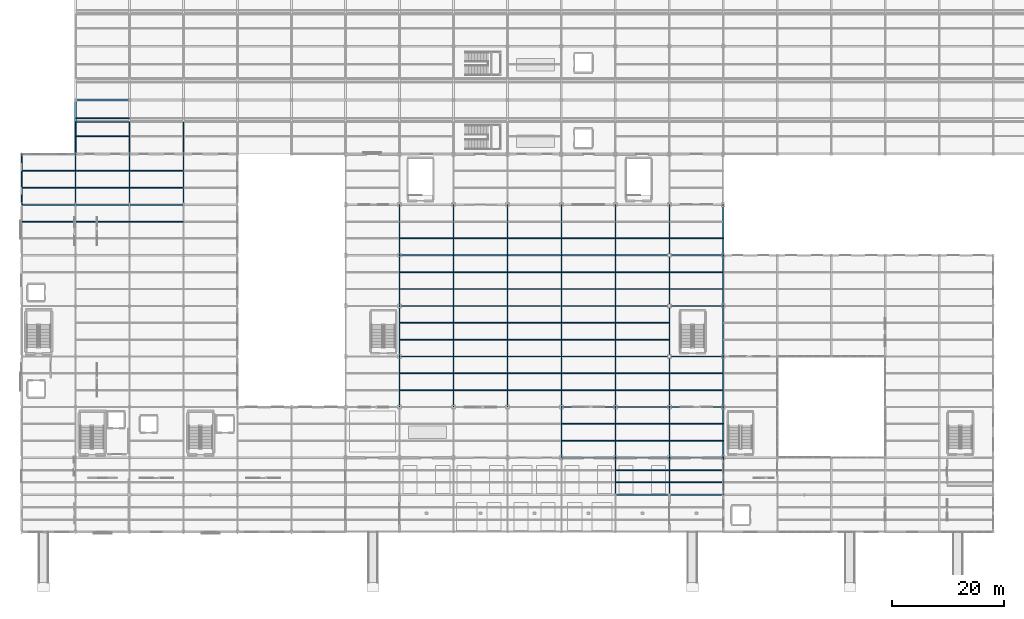
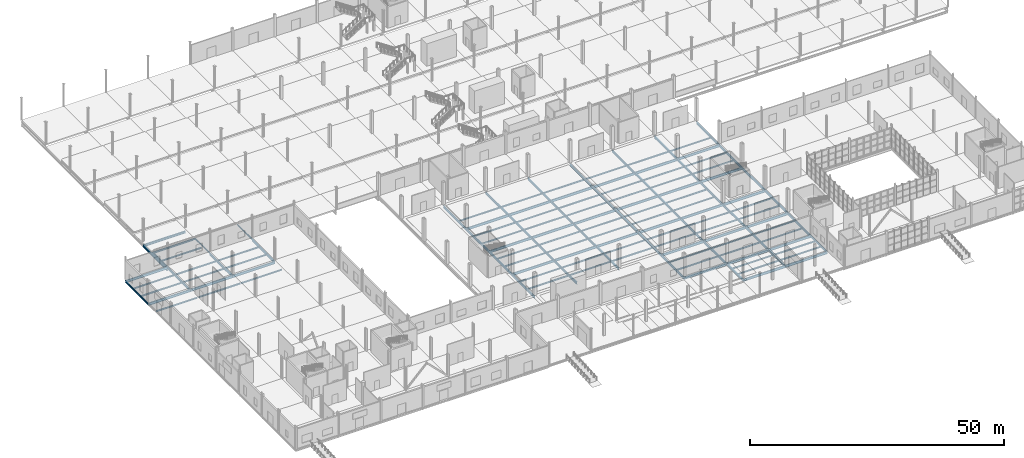
# One storey, part 28 of 85: 136 beams.
"""IFC4 building model written with IfcOpenShell, lengths in metres."""

from ifc_helpers import new_model, si_unit, direction, frame, origin, origin_2d, place, context, subcontext, project, spatial, i_section, extrude, material, material_profile, profile_set, type_object, element, save


model = new_model("IFC4")

# Units and contexts
model_context = context("Model", 3, precision=1e-05, world=origin(), true_north=direction((0.0, 1.0)))
body_context = subcontext(model_context, "Body", "Model", "MODEL_VIEW")
ifc_project = project(units=[si_unit("LENGTHUNIT", "METRE"), si_unit("AREAUNIT", "SQUARE_METRE"), si_unit("VOLUMEUNIT", "CUBIC_METRE"), si_unit("PLANEANGLEUNIT", "RADIAN"), si_unit("MASSUNIT", "GRAM", prefix="KILO")], contexts=[model_context])

# Site, building, storey
site_placement = place(None, origin())
site = spatial("IfcSite", under=ifc_project, at=site_placement, CompositionType="ELEMENT")
building_placement = place(site_placement, origin())
building = spatial("IfcBuilding", under=site, at=building_placement, Name="Zarnetskaya Central Station", CompositionType="ELEMENT")
storey_placement = place(building_placement, origin())
storey = spatial("IfcBuildingStorey", under=building, at=storey_placement, Name="L00", CompositionType="ELEMENT", Elevation=0.0)

# Beams
ifc_material = material(Name="Steel S355", Category="steel")
ifc_material_profile_1 = material_profile(ifc_material, i_section(OverallWidth=0.159912109375, OverallDepth=0.330078125, WebThickness=0.007568359375, FlangeThickness=0.011474609375, FilletRadius=0.01806640625, at=origin_2d()), Name="IPE 330")
ifc_profile_set_1 = profile_set([ifc_material_profile_1], Name="Steel S355")
beam_type_1 = type_object("IfcBeamType", Name="BM-SEC-330", PredefinedType="BEAM", material=ifc_profile_set_1)
for number, where, z_axis, x_axis, name in (
    (1, (9.60009765625, 67.199951171875, -0.455078125), (0.0, 1.0, 0.0), (-1.0, 0.0, 0.0), "Platform transverse bearer GY-PLT-P1-B"),
    (2, (19.199951171875, 67.199951171875, -0.455078125), (0.0, 1.0, 0.0), (-1.0, 0.0, 0.0), "Platform transverse bearer GY-PLT-P1-C"),
    (3, (28.800048828125, 67.199951171875, -0.455078125), (0.0, 1.0, 0.0), (-1.0, 0.0, 0.0), "Platform transverse bearer GY-PLT-P1-D"),
):
    element("IfcBeam", number, at=place(storey_placement, frame(where, z_axis=z_axis, x_axis=x_axis)), inside=storey, type_object=beam_type_1, Name=name, PredefinedType="BEAM", context=body_context, shape_type="SweptSolid", body=[
        extrude(i_section(OverallWidth=0.159912109375, OverallDepth=0.330078125, WebThickness=0.007568359375, FlangeThickness=0.011474609375, FilletRadius=0.01806640625, at=origin_2d()), origin(), (0.0, 0.0, 1.0), 5.699951171875),
    ])
beam_1_placement = place(storey_placement, frame((9.60009765625, 72.89990234375, -0.455078125), z_axis=(1.0, 0.0, 0.0), x_axis=(0.0, 1.0, 0.0)))
element("IfcBeam", 4, at=beam_1_placement, inside=storey, type_object=beam_type_1, Name="Platform north edge beam GX-PLT-P1-BC-N", PredefinedType="BEAM", context=body_context, shape_type="SweptSolid", body=[
    extrude(i_section(OverallWidth=0.159912109375, OverallDepth=0.330078125, WebThickness=0.007568359375, FlangeThickness=0.011474609375, FilletRadius=0.01806640625, at=origin_2d()), origin(), (0.0, 0.0, 1.0), 9.599853515625),
])
ifc_material_profile_2 = material_profile(ifc_material, i_section(OverallWidth=0.169921875, OverallDepth=0.360107421875, WebThickness=0.008056640625, FlangeThickness=0.0126953125, FilletRadius=0.01806640625, at=origin_2d()), Name="IPE 360")
ifc_profile_set_2 = profile_set([ifc_material_profile_2], Name="Steel S355")
beam_type_2 = type_object("IfcBeamType", Name="BM-SEC-360", PredefinedType="BEAM", material=ifc_profile_set_2)
for number, where, z_axis, x_axis, name in (
    (5, (0.080078125, 55.199951171875, -0.5), (1.0, 0.0, 0.0), (0.0, 1.0, 0.0), "Secondary floor beam SEC-L00-Z32-AB-78-2"),
    (6, (0.080078125, 61.199951171875, -0.5), (1.0, 0.0, 0.0), (0.0, 1.0, 0.0), "Secondary floor beam SEC-L00-Z32-AB-89-1"),
    (7, (0.080078125, 64.199951171875, -0.5), (1.0, 0.0, 0.0), (0.0, 1.0, 0.0), "Secondary floor beam SEC-L00-Z32-AB-89-2"),
):
    element("IfcBeam", number, at=place(storey_placement, frame(where, z_axis=z_axis, x_axis=x_axis)), inside=storey, type_object=beam_type_2, Name=name, PredefinedType="BEAM", context=body_context, shape_type="SweptSolid", body=[
        extrude(i_section(OverallWidth=0.169921875, OverallDepth=0.360107421875, WebThickness=0.008056640625, FlangeThickness=0.0126953125, FilletRadius=0.01806640625, at=origin_2d()), origin(), (0.0, 0.0, 1.0), 9.43994140625),
    ])
for number, where, z_axis, x_axis, name in (
    (8, (9.679931640625, 55.199951171875, -0.5), (1.0, 0.0, 0.0), (0.0, 1.0, 0.0), "Secondary floor beam SEC-L00-Z32-BC-78-2"),
    (9, (9.679931640625, 61.199951171875, -0.5), (1.0, 0.0, 0.0), (0.0, 1.0, 0.0), "Secondary floor beam SEC-L00-Z32-BC-89-1"),
    (10, (9.679931640625, 64.199951171875, -0.5), (1.0, 0.0, 0.0), (0.0, 1.0, 0.0), "Secondary floor beam SEC-L00-Z32-BC-89-2"),
):
    element("IfcBeam", number, at=place(storey_placement, frame(where, z_axis=z_axis, x_axis=x_axis)), inside=storey, type_object=beam_type_2, Name=name, PredefinedType="BEAM", context=body_context, shape_type="SweptSolid", body=[
        extrude(i_section(OverallWidth=0.169921875, OverallDepth=0.360107421875, WebThickness=0.008056640625, FlangeThickness=0.0126953125, FilletRadius=0.01806640625, at=origin_2d()), origin(), (0.0, 0.0, 1.0), 9.440185546875),
    ])
for number, where, z_axis, x_axis, name in (
    (11, (19.280029296875, 55.199951171875, -0.5), (1.0, 0.0, 0.0), (0.0, 1.0, 0.0), "Secondary floor beam SEC-L00-Z32-CD-78-2"),
    (12, (19.280029296875, 61.199951171875, -0.5), (1.0, 0.0, 0.0), (0.0, 1.0, 0.0), "Secondary floor beam SEC-L00-Z32-CD-89-1"),
    (13, (19.280029296875, 64.199951171875, -0.5), (1.0, 0.0, 0.0), (0.0, 1.0, 0.0), "Secondary floor beam SEC-L00-Z32-CD-89-2"),
    (14, (67.280029296875, 25.199951171875, -0.5), (1.0, 0.0, 0.0), (0.0, 1.0, 0.0), "Secondary floor beam SEC-L00-Z32-HJ-45-1"),
    (15, (67.280029296875, 28.199951171875, -0.5), (1.0, 0.0, 0.0), (0.0, 1.0, 0.0), "Secondary floor beam SEC-L00-Z32-HJ-45-2"),
    (16, (67.280029296875, 34.199951171875, -0.5), (1.0, 0.0, 0.0), (0.0, 1.0, 0.0), "Secondary floor beam SEC-L00-Z32-HJ-56-1"),
    (17, (67.280029296875, 37.199951171875, -0.5), (1.0, 0.0, 0.0), (0.0, 1.0, 0.0), "Secondary floor beam SEC-L00-Z32-HJ-56-2"),
    (18, (67.280029296875, 43.199951171875, -0.5), (1.0, 0.0, 0.0), (0.0, 1.0, 0.0), "Secondary floor beam SEC-L00-Z32-HJ-67-1"),
    (19, (67.280029296875, 46.199951171875, -0.5), (1.0, 0.0, 0.0), (0.0, 1.0, 0.0), "Secondary floor beam SEC-L00-Z32-HJ-67-2"),
    (20, (67.280029296875, 52.199951171875, -0.5), (1.0, 0.0, 0.0), (0.0, 1.0, 0.0), "Secondary floor beam SEC-L00-Z32-HJ-78-1"),
):
    element("IfcBeam", number, at=place(storey_placement, frame(where, z_axis=z_axis, x_axis=x_axis)), inside=storey, type_object=beam_type_2, Name=name, PredefinedType="BEAM", context=body_context, shape_type="SweptSolid", body=[
        extrude(i_section(OverallWidth=0.169921875, OverallDepth=0.360107421875, WebThickness=0.008056640625, FlangeThickness=0.0126953125, FilletRadius=0.01806640625, at=origin_2d()), origin(), (0.0, 0.0, 1.0), 9.43994140625),
    ])
for number, where, z_axis, x_axis, name in (
    (21, (76.8798828125, 25.199951171875, -0.5), (1.0, 0.0, 0.0), (0.0, 1.0, 0.0), "Secondary floor beam SEC-L00-Z32-JK-45-1"),
    (22, (76.8798828125, 28.199951171875, -0.5), (1.0, 0.0, 0.0), (0.0, 1.0, 0.0), "Secondary floor beam SEC-L00-Z32-JK-45-2"),
    (23, (76.8798828125, 34.199951171875, -0.5), (1.0, 0.0, 0.0), (0.0, 1.0, 0.0), "Secondary floor beam SEC-L00-Z32-JK-56-1"),
    (24, (76.8798828125, 37.199951171875, -0.5), (1.0, 0.0, 0.0), (0.0, 1.0, 0.0), "Secondary floor beam SEC-L00-Z32-JK-56-2"),
    (25, (76.8798828125, 43.199951171875, -0.5), (1.0, 0.0, 0.0), (0.0, 1.0, 0.0), "Secondary floor beam SEC-L00-Z32-JK-67-1"),
    (26, (76.8798828125, 46.199951171875, -0.5), (1.0, 0.0, 0.0), (0.0, 1.0, 0.0), "Secondary floor beam SEC-L00-Z32-JK-67-2"),
    (27, (76.8798828125, 52.199951171875, -0.5), (1.0, 0.0, 0.0), (0.0, 1.0, 0.0), "Secondary floor beam SEC-L00-Z32-JK-78-1"),
):
    element("IfcBeam", number, at=place(storey_placement, frame(where, z_axis=z_axis, x_axis=x_axis)), inside=storey, type_object=beam_type_2, Name=name, PredefinedType="BEAM", context=body_context, shape_type="SweptSolid", body=[
        extrude(i_section(OverallWidth=0.169921875, OverallDepth=0.360107421875, WebThickness=0.008056640625, FlangeThickness=0.0126953125, FilletRadius=0.01806640625, at=origin_2d()), origin(), (0.0, 0.0, 1.0), 9.440185546875),
    ])
for number, where, z_axis, x_axis, name in (
    (28, (86.47998046875, 25.199951171875, -0.5), (1.0, 0.0, 0.0), (0.0, 1.0, 0.0), "Secondary floor beam SEC-L00-Z32-KL-45-1"),
    (29, (86.47998046875, 28.199951171875, -0.5), (1.0, 0.0, 0.0), (0.0, 1.0, 0.0), "Secondary floor beam SEC-L00-Z32-KL-45-2"),
    (30, (86.47998046875, 34.199951171875, -0.5), (1.0, 0.0, 0.0), (0.0, 1.0, 0.0), "Secondary floor beam SEC-L00-Z32-KL-56-1"),
    (31, (86.47998046875, 37.199951171875, -0.5), (1.0, 0.0, 0.0), (0.0, 1.0, 0.0), "Secondary floor beam SEC-L00-Z32-KL-56-2"),
    (32, (86.47998046875, 43.199951171875, -0.5), (1.0, 0.0, 0.0), (0.0, 1.0, 0.0), "Secondary floor beam SEC-L00-Z32-KL-67-1"),
    (33, (86.47998046875, 46.199951171875, -0.5), (1.0, 0.0, 0.0), (0.0, 1.0, 0.0), "Secondary floor beam SEC-L00-Z32-KL-67-2"),
    (34, (86.47998046875, 52.199951171875, -0.5), (1.0, 0.0, 0.0), (0.0, 1.0, 0.0), "Secondary floor beam SEC-L00-Z32-KL-78-1"),
    (35, (96.080078125, 16.199951171875, -0.5), (1.0, 0.0, 0.0), (0.0, 1.0, 0.0), "Secondary floor beam SEC-L00-Z32-LM-34-1"),
    (36, (96.080078125, 19.199951171875, -0.5), (1.0, 0.0, 0.0), (0.0, 1.0, 0.0), "Secondary floor beam SEC-L00-Z32-LM-34-2"),
    (37, (96.080078125, 25.199951171875, -0.5), (1.0, 0.0, 0.0), (0.0, 1.0, 0.0), "Secondary floor beam SEC-L00-Z32-LM-45-1"),
    (38, (96.080078125, 28.199951171875, -0.5), (1.0, 0.0, 0.0), (0.0, 1.0, 0.0), "Secondary floor beam SEC-L00-Z32-LM-45-2"),
    (39, (96.080078125, 34.199951171875, -0.5), (1.0, 0.0, 0.0), (0.0, 1.0, 0.0), "Secondary floor beam SEC-L00-Z32-LM-56-1"),
    (40, (96.080078125, 37.199951171875, -0.5), (1.0, 0.0, 0.0), (0.0, 1.0, 0.0), "Secondary floor beam SEC-L00-Z32-LM-56-2"),
    (41, (96.080078125, 43.199951171875, -0.5), (1.0, 0.0, 0.0), (0.0, 1.0, 0.0), "Secondary floor beam SEC-L00-Z32-LM-67-1"),
    (42, (96.080078125, 46.199951171875, -0.5), (1.0, 0.0, 0.0), (0.0, 1.0, 0.0), "Secondary floor beam SEC-L00-Z32-LM-67-2"),
    (43, (96.080078125, 52.199951171875, -0.5), (1.0, 0.0, 0.0), (0.0, 1.0, 0.0), "Secondary floor beam SEC-L00-Z32-LM-78-1"),
):
    element("IfcBeam", number, at=place(storey_placement, frame(where, z_axis=z_axis, x_axis=x_axis)), inside=storey, type_object=beam_type_2, Name=name, PredefinedType="BEAM", context=body_context, shape_type="SweptSolid", body=[
        extrude(i_section(OverallWidth=0.169921875, OverallDepth=0.360107421875, WebThickness=0.008056640625, FlangeThickness=0.0126953125, FilletRadius=0.01806640625, at=origin_2d()), origin(), (0.0, 0.0, 1.0), 9.43994140625),
    ])
for number, where, z_axis, x_axis, name in (
    (44, (105.679931640625, 16.199951171875, -0.5), (1.0, 0.0, 0.0), (0.0, 1.0, 0.0), "Secondary floor beam SEC-L00-Z32-MN-34-1"),
    (45, (105.679931640625, 19.199951171875, -0.5), (1.0, 0.0, 0.0), (0.0, 1.0, 0.0), "Secondary floor beam SEC-L00-Z32-MN-34-2"),
    (46, (105.679931640625, 25.199951171875, -0.5), (1.0, 0.0, 0.0), (0.0, 1.0, 0.0), "Secondary floor beam SEC-L00-Z32-MN-45-1"),
    (47, (105.679931640625, 28.199951171875, -0.5), (1.0, 0.0, 0.0), (0.0, 1.0, 0.0), "Secondary floor beam SEC-L00-Z32-MN-45-2"),
    (48, (105.679931640625, 34.199951171875, -0.5), (1.0, 0.0, 0.0), (0.0, 1.0, 0.0), "Secondary floor beam SEC-L00-Z32-MN-56-1"),
    (49, (105.679931640625, 37.199951171875, -0.5), (1.0, 0.0, 0.0), (0.0, 1.0, 0.0), "Secondary floor beam SEC-L00-Z32-MN-56-2"),
    (50, (105.679931640625, 43.199951171875, -0.5), (1.0, 0.0, 0.0), (0.0, 1.0, 0.0), "Secondary floor beam SEC-L00-Z32-MN-67-1"),
    (51, (105.679931640625, 46.199951171875, -0.5), (1.0, 0.0, 0.0), (0.0, 1.0, 0.0), "Secondary floor beam SEC-L00-Z32-MN-67-2"),
    (52, (105.679931640625, 52.199951171875, -0.5), (1.0, 0.0, 0.0), (0.0, 1.0, 0.0), "Secondary floor beam SEC-L00-Z32-MN-78-1"),
):
    element("IfcBeam", number, at=place(storey_placement, frame(where, z_axis=z_axis, x_axis=x_axis)), inside=storey, type_object=beam_type_2, Name=name, PredefinedType="BEAM", context=body_context, shape_type="SweptSolid", body=[
        extrude(i_section(OverallWidth=0.169921875, OverallDepth=0.360107421875, WebThickness=0.008056640625, FlangeThickness=0.0126953125, FilletRadius=0.01806640625, at=origin_2d()), origin(), (0.0, 0.0, 1.0), 9.440185546875),
    ])
for number, where, z_axis, x_axis, name in (
    (53, (115.280029296875, 16.199951171875, -0.5), (1.0, 0.0, 0.0), (0.0, 1.0, 0.0), "Secondary floor beam SEC-L00-Z32-NP-34-1"),
    (54, (115.280029296875, 19.199951171875, -0.5), (1.0, 0.0, 0.0), (0.0, 1.0, 0.0), "Secondary floor beam SEC-L00-Z32-NP-34-2"),
    (55, (115.280029296875, 25.199951171875, -0.5), (1.0, 0.0, 0.0), (0.0, 1.0, 0.0), "Secondary floor beam SEC-L00-Z32-NP-45-1"),
    (56, (115.280029296875, 28.199951171875, -0.5), (1.0, 0.0, 0.0), (0.0, 1.0, 0.0), "Secondary floor beam SEC-L00-Z32-NP-45-2"),
    (57, (115.280029296875, 43.199951171875, -0.5), (1.0, 0.0, 0.0), (0.0, 1.0, 0.0), "Secondary floor beam SEC-L00-Z32-NP-67-1"),
    (58, (115.280029296875, 46.199951171875, -0.5), (1.0, 0.0, 0.0), (0.0, 1.0, 0.0), "Secondary floor beam SEC-L00-Z32-NP-67-2"),
    (59, (115.280029296875, 52.199951171875, -0.5), (1.0, 0.0, 0.0), (0.0, 1.0, 0.0), "Secondary floor beam SEC-L00-Z32-NP-78-1"),
):
    element("IfcBeam", number, at=place(storey_placement, frame(where, z_axis=z_axis, x_axis=x_axis)), inside=storey, type_object=beam_type_2, Name=name, PredefinedType="BEAM", context=body_context, shape_type="SweptSolid", body=[
        extrude(i_section(OverallWidth=0.169921875, OverallDepth=0.360107421875, WebThickness=0.008056640625, FlangeThickness=0.0126953125, FilletRadius=0.01806640625, at=origin_2d()), origin(), (0.0, 0.0, 1.0), 9.43994140625),
    ])
for number, where, z_axis, x_axis, name in (
    (60, (105.679931640625, 8.800048828125, -0.39990234375), (1.0, 0.0, 0.0), (0.0, 1.0, 0.0), "Secondary floor beam SEC-L00-Z22-MN-23-1"),
    (61, (105.679931640625, 11.0, -0.39990234375), (1.0, 0.0, 0.0), (0.0, 1.0, 0.0), "Secondary floor beam SEC-L00-Z22-MN-23-2"),
):
    element("IfcBeam", number, at=place(storey_placement, frame(where, z_axis=z_axis, x_axis=x_axis)), inside=storey, type_object=beam_type_2, Name=name, PredefinedType="BEAM", context=body_context, shape_type="SweptSolid", body=[
        extrude(i_section(OverallWidth=0.169921875, OverallDepth=0.360107421875, WebThickness=0.008056640625, FlangeThickness=0.0126953125, FilletRadius=0.01806640625, at=origin_2d()), origin(), (0.0, 0.0, 1.0), 9.440185546875),
    ])
for number, where, z_axis, x_axis, name in (
    (62, (115.280029296875, 8.800048828125, -0.39990234375), (1.0, 0.0, 0.0), (0.0, 1.0, 0.0), "Secondary floor beam SEC-L00-Z22-NP-23-1"),
    (63, (115.280029296875, 11.0, -0.39990234375), (1.0, 0.0, 0.0), (0.0, 1.0, 0.0), "Secondary floor beam SEC-L00-Z22-NP-23-2"),
):
    element("IfcBeam", number, at=place(storey_placement, frame(where, z_axis=z_axis, x_axis=x_axis)), inside=storey, type_object=beam_type_2, Name=name, PredefinedType="BEAM", context=body_context, shape_type="SweptSolid", body=[
        extrude(i_section(OverallWidth=0.169921875, OverallDepth=0.360107421875, WebThickness=0.008056640625, FlangeThickness=0.0126953125, FilletRadius=0.01806640625, at=origin_2d()), origin(), (0.0, 0.0, 1.0), 9.43994140625),
    ])
for number, where, z_axis, x_axis, name in (
    (64, (9.679931640625, 70.39990234375, -1.090087890625), (1.0, 0.0, 0.0), (0.0, 1.0, 0.0), "Secondary floor beam SEC-L00-Z91-BC-910-1"),
    (65, (9.679931640625, 73.60009765625, -1.090087890625), (1.0, 0.0, 0.0), (0.0, 1.0, 0.0), "Secondary floor beam SEC-L00-Z91-BC-910-2"),
):
    element("IfcBeam", number, at=place(storey_placement, frame(where, z_axis=z_axis, x_axis=x_axis)), inside=storey, type_object=beam_type_2, Name=name, PredefinedType="BEAM", context=body_context, shape_type="SweptSolid", body=[
        extrude(i_section(OverallWidth=0.169921875, OverallDepth=0.360107421875, WebThickness=0.008056640625, FlangeThickness=0.0126953125, FilletRadius=0.01806640625, at=origin_2d()), origin(), (0.0, 0.0, 1.0), 9.440185546875),
    ])
ifc_material_profile_3 = material_profile(ifc_material, i_section(OverallWidth=0.179931640625, OverallDepth=0.39990234375, WebThickness=0.008544921875, FlangeThickness=0.013427734375, FilletRadius=0.02099609375, at=origin_2d()), Name="IPE 400")
ifc_profile_set_3 = profile_set([ifc_material_profile_3], Name="Steel S355")
beam_type_3 = type_object("IfcBeamType", Name="BM-SPN-V5", PredefinedType="SPANDREL", material=ifc_profile_set_3)
beam_2_placement = place(storey_placement, frame((0.0, 58.199951171875, -0.52001953125), z_axis=(0.0, 1.0, 0.0), x_axis=(-1.0, 0.0, 0.0)))
element("IfcBeam", 66, at=beam_2_placement, inside=storey, type_object=beam_type_3, Name="Grid girder GY-L00-A-89", PredefinedType="SPANDREL", context=body_context, shape_type="SweptSolid", body=[
    extrude(i_section(OverallWidth=0.179931640625, OverallDepth=0.39990234375, WebThickness=0.008544921875, FlangeThickness=0.013427734375, FilletRadius=0.02099609375, at=origin_2d()), origin(), (0.0, 0.0, 1.0), 9.0),
])
ifc_material_profile_4 = material_profile(ifc_material, i_section(OverallWidth=0.199951171875, OverallDepth=0.5, WebThickness=0.01025390625, FlangeThickness=0.01611328125, FilletRadius=0.02099609375, at=origin_2d()), Name="IPE 500")
ifc_profile_set_4 = profile_set([ifc_material_profile_4], Name="Steel S355")
beam_type_4 = type_object("IfcBeamType", Name="GD-FLR-500", PredefinedType="USERDEFINED", material=ifc_profile_set_4)
for number, where, z_axis, x_axis, name in (
    (67, (105.60009765625, 6.60009765625, -0.469970703125), (0.0, 1.0, 0.0), (-1.0, 0.0, 0.0), "Grid girder GY-L00-M-23"),
    (68, (115.199951171875, 6.60009765625, -0.469970703125), (0.0, 1.0, 0.0), (-1.0, 0.0, 0.0), "Grid girder GY-L00-N-23"),
    (69, (124.800048828125, 6.60009765625, -0.570068359375), (0.0, 1.0, 0.0), (-1.0, 0.0, 0.0), "Grid girder GY-L00-P-23"),
):
    element("IfcBeam", number, at=place(storey_placement, frame(where, z_axis=z_axis, x_axis=x_axis)), inside=storey, type_object=beam_type_4, Name=name, ObjectType="GIRDER", PredefinedType="USERDEFINED", context=body_context, shape_type="SweptSolid", body=[
        extrude(i_section(OverallWidth=0.199951171875, OverallDepth=0.5, WebThickness=0.01025390625, FlangeThickness=0.01611328125, FilletRadius=0.02099609375, at=origin_2d()), origin(), (0.0, 0.0, 1.0), 6.599853515625),
    ])
ifc_material_profile_5 = material_profile(ifc_material, i_section(OverallWidth=0.2099609375, OverallDepth=0.550048828125, WebThickness=0.010986328125, FlangeThickness=0.01708984375, FilletRadius=0.02392578125, at=origin_2d()), Name="IPE 550")
ifc_profile_set_5 = profile_set([ifc_material_profile_5], Name="Steel S355")
beam_type_5 = type_object("IfcBeamType", Name="GD-FLR-550", PredefinedType="USERDEFINED", material=ifc_profile_set_5)
for number, where, z_axis, x_axis, name in (
    (70, (9.60009765625, 58.199951171875, -0.594970703125), (0.0, 1.0, 0.0), (-1.0, 0.0, 0.0), "Grid girder GY-L00-B-89"),
    (71, (19.199951171875, 58.199951171875, -0.594970703125), (0.0, 1.0, 0.0), (-1.0, 0.0, 0.0), "Grid girder GY-L00-C-89"),
    (72, (28.800048828125, 58.199951171875, -0.594970703125), (0.0, 1.0, 0.0), (-1.0, 0.0, 0.0), "Grid girder GY-L00-D-89"),
    (73, (67.199951171875, 22.199951171875, -0.594970703125), (0.0, 1.0, 0.0), (-1.0, 0.0, 0.0), "Grid girder GY-L00-H-45"),
    (74, (67.199951171875, 31.199951171875, -0.594970703125), (0.0, 1.0, 0.0), (-1.0, 0.0, 0.0), "Grid girder GY-L00-H-56"),
    (75, (67.199951171875, 40.199951171875, -0.594970703125), (0.0, 1.0, 0.0), (-1.0, 0.0, 0.0), "Grid girder GY-L00-H-67"),
    (76, (67.199951171875, 49.199951171875, -0.594970703125), (0.0, 1.0, 0.0), (-1.0, 0.0, 0.0), "Grid girder GY-L00-H-78"),
    (77, (76.800048828125, 22.199951171875, -0.594970703125), (0.0, 1.0, 0.0), (-1.0, 0.0, 0.0), "Grid girder GY-L00-J-45"),
    (78, (76.800048828125, 31.199951171875, -0.594970703125), (0.0, 1.0, 0.0), (-1.0, 0.0, 0.0), "Grid girder GY-L00-J-56"),
    (79, (76.800048828125, 40.199951171875, -0.594970703125), (0.0, 1.0, 0.0), (-1.0, 0.0, 0.0), "Grid girder GY-L00-J-67"),
    (80, (76.800048828125, 49.199951171875, -0.594970703125), (0.0, 1.0, 0.0), (-1.0, 0.0, 0.0), "Grid girder GY-L00-J-78"),
    (81, (86.39990234375, 22.199951171875, -0.594970703125), (0.0, 1.0, 0.0), (-1.0, 0.0, 0.0), "Grid girder GY-L00-K-45"),
    (82, (86.39990234375, 31.199951171875, -0.594970703125), (0.0, 1.0, 0.0), (-1.0, 0.0, 0.0), "Grid girder GY-L00-K-56"),
    (83, (86.39990234375, 40.199951171875, -0.594970703125), (0.0, 1.0, 0.0), (-1.0, 0.0, 0.0), "Grid girder GY-L00-K-67"),
    (84, (86.39990234375, 49.199951171875, -0.594970703125), (0.0, 1.0, 0.0), (-1.0, 0.0, 0.0), "Grid girder GY-L00-K-78"),
    (85, (96.0, 13.199951171875, -0.594970703125), (0.0, 1.0, 0.0), (-1.0, 0.0, 0.0), "Grid girder GY-L00-L-34"),
    (86, (96.0, 22.199951171875, -0.594970703125), (0.0, 1.0, 0.0), (-1.0, 0.0, 0.0), "Grid girder GY-L00-L-45"),
    (87, (96.0, 31.199951171875, -0.594970703125), (0.0, 1.0, 0.0), (-1.0, 0.0, 0.0), "Grid girder GY-L00-L-56"),
    (88, (96.0, 40.199951171875, -0.594970703125), (0.0, 1.0, 0.0), (-1.0, 0.0, 0.0), "Grid girder GY-L00-L-67"),
    (89, (96.0, 49.199951171875, -0.594970703125), (0.0, 1.0, 0.0), (-1.0, 0.0, 0.0), "Grid girder GY-L00-L-78"),
    (90, (105.60009765625, 13.199951171875, -0.594970703125), (0.0, 1.0, 0.0), (-1.0, 0.0, 0.0), "Grid girder GY-L00-M-34"),
    (91, (105.60009765625, 22.199951171875, -0.594970703125), (0.0, 1.0, 0.0), (-1.0, 0.0, 0.0), "Grid girder GY-L00-M-45"),
    (92, (105.60009765625, 31.199951171875, -0.594970703125), (0.0, 1.0, 0.0), (-1.0, 0.0, 0.0), "Grid girder GY-L00-M-56"),
    (93, (105.60009765625, 40.199951171875, -0.594970703125), (0.0, 1.0, 0.0), (-1.0, 0.0, 0.0), "Grid girder GY-L00-M-67"),
    (94, (105.60009765625, 49.199951171875, -0.594970703125), (0.0, 1.0, 0.0), (-1.0, 0.0, 0.0), "Grid girder GY-L00-M-78"),
    (95, (115.199951171875, 13.199951171875, -0.594970703125), (0.0, 1.0, 0.0), (-1.0, 0.0, 0.0), "Grid girder GY-L00-N-34"),
    (96, (115.199951171875, 22.199951171875, -0.594970703125), (0.0, 1.0, 0.0), (-1.0, 0.0, 0.0), "Grid girder GY-L00-N-45"),
    (97, (115.199951171875, 31.199951171875, -0.594970703125), (0.0, 1.0, 0.0), (-1.0, 0.0, 0.0), "Grid girder GY-L00-N-56"),
    (98, (115.199951171875, 40.199951171875, -0.594970703125), (0.0, 1.0, 0.0), (-1.0, 0.0, 0.0), "Grid girder GY-L00-N-67"),
    (99, (115.199951171875, 49.199951171875, -0.594970703125), (0.0, 1.0, 0.0), (-1.0, 0.0, 0.0), "Grid girder GY-L00-N-78"),
    (100, (124.800048828125, 13.199951171875, -0.594970703125), (0.0, 1.0, 0.0), (-1.0, 0.0, 0.0), "Grid girder GY-L00-P-34"),
    (101, (124.800048828125, 22.199951171875, -0.594970703125), (0.0, 1.0, 0.0), (-1.0, 0.0, 0.0), "Grid girder GY-L00-P-45"),
    (102, (124.800048828125, 31.199951171875, -0.594970703125), (0.0, 1.0, 0.0), (-1.0, 0.0, 0.0), "Grid girder GY-L00-P-56"),
    (103, (124.800048828125, 40.199951171875, -0.594970703125), (0.0, 1.0, 0.0), (-1.0, 0.0, 0.0), "Grid girder GY-L00-P-67"),
    (104, (124.800048828125, 49.199951171875, -0.594970703125), (0.0, 1.0, 0.0), (-1.0, 0.0, 0.0), "Grid girder GY-L00-P-78"),
):
    element("IfcBeam", number, at=place(storey_placement, frame(where, z_axis=z_axis, x_axis=x_axis)), inside=storey, type_object=beam_type_5, Name=name, ObjectType="GIRDER", PredefinedType="USERDEFINED", context=body_context, shape_type="SweptSolid", body=[
        extrude(i_section(OverallWidth=0.2099609375, OverallDepth=0.550048828125, WebThickness=0.010986328125, FlangeThickness=0.01708984375, FilletRadius=0.02392578125, at=origin_2d()), origin(), (0.0, 0.0, 1.0), 9.0),
    ])
ifc_material_profile_6 = material_profile(ifc_material, i_section(OverallWidth=0.219970703125, OverallDepth=0.60009765625, WebThickness=0.011962890625, FlangeThickness=0.01904296875, FilletRadius=0.02392578125, at=origin_2d()), Name="IPE 600")
ifc_profile_set_6 = profile_set([ifc_material_profile_6], Name="Steel S355")
beam_type_6 = type_object("IfcBeamType", Name="GD-FLR-600", PredefinedType="USERDEFINED", material=ifc_profile_set_6)
for number, where, z_axis, x_axis, name in (
    (105, (0.0, 58.199951171875, -0.6201171875), (1.0, 0.0, 0.0), (0.0, 1.0, 0.0), "Grid girder GX-L00-8-AB"),
    (106, (0.0, 67.199951171875, -0.6201171875), (1.0, 0.0, 0.0), (0.0, 1.0, 0.0), "Grid girder GX-L00-9-AB"),
):
    element("IfcBeam", number, at=place(storey_placement, frame(where, z_axis=z_axis, x_axis=x_axis)), inside=storey, type_object=beam_type_6, Name=name, ObjectType="GIRDER", PredefinedType="USERDEFINED", context=body_context, shape_type="SweptSolid", body=[
        extrude(i_section(OverallWidth=0.219970703125, OverallDepth=0.60009765625, WebThickness=0.011962890625, FlangeThickness=0.01904296875, FilletRadius=0.02392578125, at=origin_2d()), origin(), (0.0, 0.0, 1.0), 9.60009765625),
    ])
beam_3_placement = place(storey_placement, frame((9.60009765625, 58.199951171875, -0.6201171875), z_axis=(1.0, 0.0, 0.0), x_axis=(0.0, 1.0, 0.0)))
element("IfcBeam", 107, at=beam_3_placement, inside=storey, type_object=beam_type_6, Name="Grid girder GX-L00-8-BC", ObjectType="GIRDER", PredefinedType="USERDEFINED", context=body_context, shape_type="SweptSolid", body=[
    extrude(i_section(OverallWidth=0.219970703125, OverallDepth=0.60009765625, WebThickness=0.011962890625, FlangeThickness=0.01904296875, FilletRadius=0.02392578125, at=origin_2d()), origin(), (0.0, 0.0, 1.0), 9.599853515625),
])
for number, where, z_axis, x_axis, name in (
    (108, (19.199951171875, 58.199951171875, -0.6201171875), (1.0, 0.0, 0.0), (0.0, 1.0, 0.0), "Grid girder GX-L00-8-CD"),
    (109, (67.199951171875, 31.199951171875, -0.6201171875), (1.0, 0.0, 0.0), (0.0, 1.0, 0.0), "Grid girder GX-L00-5-HJ"),
    (110, (67.199951171875, 40.199951171875, -0.6201171875), (1.0, 0.0, 0.0), (0.0, 1.0, 0.0), "Grid girder GX-L00-6-HJ"),
    (111, (67.199951171875, 49.199951171875, -0.6201171875), (1.0, 0.0, 0.0), (0.0, 1.0, 0.0), "Grid girder GX-L00-7-HJ"),
):
    element("IfcBeam", number, at=place(storey_placement, frame(where, z_axis=z_axis, x_axis=x_axis)), inside=storey, type_object=beam_type_6, Name=name, ObjectType="GIRDER", PredefinedType="USERDEFINED", context=body_context, shape_type="SweptSolid", body=[
        extrude(i_section(OverallWidth=0.219970703125, OverallDepth=0.60009765625, WebThickness=0.011962890625, FlangeThickness=0.01904296875, FilletRadius=0.02392578125, at=origin_2d()), origin(), (0.0, 0.0, 1.0), 9.60009765625),
    ])
for number, where, z_axis, x_axis, name in (
    (112, (76.800048828125, 31.199951171875, -0.6201171875), (1.0, 0.0, 0.0), (0.0, 1.0, 0.0), "Grid girder GX-L00-5-JK"),
    (113, (76.800048828125, 40.199951171875, -0.6201171875), (1.0, 0.0, 0.0), (0.0, 1.0, 0.0), "Grid girder GX-L00-6-JK"),
    (114, (76.800048828125, 49.199951171875, -0.6201171875), (1.0, 0.0, 0.0), (0.0, 1.0, 0.0), "Grid girder GX-L00-7-JK"),
):
    element("IfcBeam", number, at=place(storey_placement, frame(where, z_axis=z_axis, x_axis=x_axis)), inside=storey, type_object=beam_type_6, Name=name, ObjectType="GIRDER", PredefinedType="USERDEFINED", context=body_context, shape_type="SweptSolid", body=[
        extrude(i_section(OverallWidth=0.219970703125, OverallDepth=0.60009765625, WebThickness=0.011962890625, FlangeThickness=0.01904296875, FilletRadius=0.02392578125, at=origin_2d()), origin(), (0.0, 0.0, 1.0), 9.599853515625),
    ])
for number, where, z_axis, x_axis, name in (
    (115, (86.39990234375, 31.199951171875, -0.6201171875), (1.0, 0.0, 0.0), (0.0, 1.0, 0.0), "Grid girder GX-L00-5-KL"),
    (116, (86.39990234375, 40.199951171875, -0.6201171875), (1.0, 0.0, 0.0), (0.0, 1.0, 0.0), "Grid girder GX-L00-6-KL"),
    (117, (86.39990234375, 49.199951171875, -0.6201171875), (1.0, 0.0, 0.0), (0.0, 1.0, 0.0), "Grid girder GX-L00-7-KL"),
    (118, (96.0, 13.199951171875, -0.6201171875), (1.0, 0.0, 0.0), (0.0, 1.0, 0.0), "Grid girder GX-L00-3-LM"),
    (119, (96.0, 22.199951171875, -0.6201171875), (1.0, 0.0, 0.0), (0.0, 1.0, 0.0), "Grid girder GX-L00-4-LM"),
    (120, (96.0, 31.199951171875, -0.6201171875), (1.0, 0.0, 0.0), (0.0, 1.0, 0.0), "Grid girder GX-L00-5-LM"),
    (121, (96.0, 40.199951171875, -0.6201171875), (1.0, 0.0, 0.0), (0.0, 1.0, 0.0), "Grid girder GX-L00-6-LM"),
    (122, (96.0, 49.199951171875, -0.6201171875), (1.0, 0.0, 0.0), (0.0, 1.0, 0.0), "Grid girder GX-L00-7-LM"),
):
    element("IfcBeam", number, at=place(storey_placement, frame(where, z_axis=z_axis, x_axis=x_axis)), inside=storey, type_object=beam_type_6, Name=name, ObjectType="GIRDER", PredefinedType="USERDEFINED", context=body_context, shape_type="SweptSolid", body=[
        extrude(i_section(OverallWidth=0.219970703125, OverallDepth=0.60009765625, WebThickness=0.011962890625, FlangeThickness=0.01904296875, FilletRadius=0.02392578125, at=origin_2d()), origin(), (0.0, 0.0, 1.0), 9.60009765625),
    ])
for number, where, z_axis, x_axis, name in (
    (123, (105.60009765625, 6.60009765625, -0.52001953125), (1.0, 0.0, 0.0), (0.0, 1.0, 0.0), "Grid girder GX-L00-2-MN"),
    (124, (105.60009765625, 13.199951171875, -0.6201171875), (1.0, 0.0, 0.0), (0.0, 1.0, 0.0), "Grid girder GX-L00-3-MN"),
    (125, (105.60009765625, 22.199951171875, -0.6201171875), (1.0, 0.0, 0.0), (0.0, 1.0, 0.0), "Grid girder GX-L00-4-MN"),
    (126, (105.60009765625, 31.199951171875, -0.6201171875), (1.0, 0.0, 0.0), (0.0, 1.0, 0.0), "Grid girder GX-L00-5-MN"),
    (127, (105.60009765625, 40.199951171875, -0.6201171875), (1.0, 0.0, 0.0), (0.0, 1.0, 0.0), "Grid girder GX-L00-6-MN"),
    (128, (105.60009765625, 49.199951171875, -0.6201171875), (1.0, 0.0, 0.0), (0.0, 1.0, 0.0), "Grid girder GX-L00-7-MN"),
):
    element("IfcBeam", number, at=place(storey_placement, frame(where, z_axis=z_axis, x_axis=x_axis)), inside=storey, type_object=beam_type_6, Name=name, ObjectType="GIRDER", PredefinedType="USERDEFINED", context=body_context, shape_type="SweptSolid", body=[
        extrude(i_section(OverallWidth=0.219970703125, OverallDepth=0.60009765625, WebThickness=0.011962890625, FlangeThickness=0.01904296875, FilletRadius=0.02392578125, at=origin_2d()), origin(), (0.0, 0.0, 1.0), 9.599853515625),
    ])
for number, where, z_axis, x_axis, name in (
    (129, (115.199951171875, 6.60009765625, -0.52001953125), (1.0, 0.0, 0.0), (0.0, 1.0, 0.0), "Grid girder GX-L00-2-NP"),
    (130, (115.199951171875, 13.199951171875, -0.6201171875), (1.0, 0.0, 0.0), (0.0, 1.0, 0.0), "Grid girder GX-L00-3-NP"),
    (131, (115.199951171875, 22.199951171875, -0.6201171875), (1.0, 0.0, 0.0), (0.0, 1.0, 0.0), "Grid girder GX-L00-4-NP"),
    (132, (115.199951171875, 31.199951171875, -0.6201171875), (1.0, 0.0, 0.0), (0.0, 1.0, 0.0), "Grid girder GX-L00-5-NP"),
    (133, (115.199951171875, 40.199951171875, -0.6201171875), (1.0, 0.0, 0.0), (0.0, 1.0, 0.0), "Grid girder GX-L00-6-NP"),
    (134, (115.199951171875, 49.199951171875, -0.6201171875), (1.0, 0.0, 0.0), (0.0, 1.0, 0.0), "Grid girder GX-L00-7-NP"),
):
    element("IfcBeam", number, at=place(storey_placement, frame(where, z_axis=z_axis, x_axis=x_axis)), inside=storey, type_object=beam_type_6, Name=name, ObjectType="GIRDER", PredefinedType="USERDEFINED", context=body_context, shape_type="SweptSolid", body=[
        extrude(i_section(OverallWidth=0.219970703125, OverallDepth=0.60009765625, WebThickness=0.011962890625, FlangeThickness=0.01904296875, FilletRadius=0.02392578125, at=origin_2d()), origin(), (0.0, 0.0, 1.0), 9.60009765625),
    ])
ifc_material_profile_7 = material_profile(ifc_material, i_section(OverallWidth=0.300048828125, OverallDepth=0.449951171875, WebThickness=0.013916015625, FlangeThickness=0.02587890625, FilletRadius=0.027099609375, at=origin_2d()), Name="HEB 450")
ifc_profile_set_7 = profile_set([ifc_material_profile_7], Name="Steel S355")
beam_type_7 = type_object("IfcBeamType", Name="GD-SUB-450", PredefinedType="USERDEFINED", material=ifc_profile_set_7)
beam_4_placement = place(storey_placement, frame((9.60009765625, 67.199951171875, -1.135009765625), z_axis=(0.0, 1.0, 0.0), x_axis=(-1.0, 0.0, 0.0)))
element("IfcBeam", 135, at=beam_4_placement, inside=storey, type_object=beam_type_7, Name="Grid girder GY-L00-B-910", ObjectType="GIRDER", PredefinedType="USERDEFINED", context=body_context, shape_type="SweptSolid", body=[
    extrude(i_section(OverallWidth=0.300048828125, OverallDepth=0.449951171875, WebThickness=0.013916015625, FlangeThickness=0.02587890625, FilletRadius=0.027099609375, at=origin_2d()), origin(), (0.0, 0.0, 1.0), 9.60009765625),
])
ifc_material_profile_8 = material_profile(ifc_material, i_section(OverallWidth=0.300048828125, OverallDepth=0.5, WebThickness=0.014404296875, FlangeThickness=0.028076171875, FilletRadius=0.027099609375, at=origin_2d()), Name="HEB 500")
ifc_profile_set_8 = profile_set([ifc_material_profile_8], Name="Steel S355")
beam_type_8 = type_object("IfcBeamType", Name="GD-SUB-500", PredefinedType="USERDEFINED", material=ifc_profile_set_8)
beam_5_placement = place(storey_placement, frame((9.60009765625, 76.800048828125, -1.159912109375), z_axis=(1.0, 0.0, 0.0), x_axis=(0.0, 1.0, 0.0)))
element("IfcBeam", 136, at=beam_5_placement, inside=storey, type_object=beam_type_8, Name="Grid girder GX-L00-10-BC", ObjectType="GIRDER", PredefinedType="USERDEFINED", context=body_context, shape_type="SweptSolid", body=[
    extrude(i_section(OverallWidth=0.300048828125, OverallDepth=0.5, WebThickness=0.014404296875, FlangeThickness=0.028076171875, FilletRadius=0.027099609375, at=origin_2d()), origin(), (0.0, 0.0, 1.0), 9.599853515625),
])

save(model, "model.ifc")
